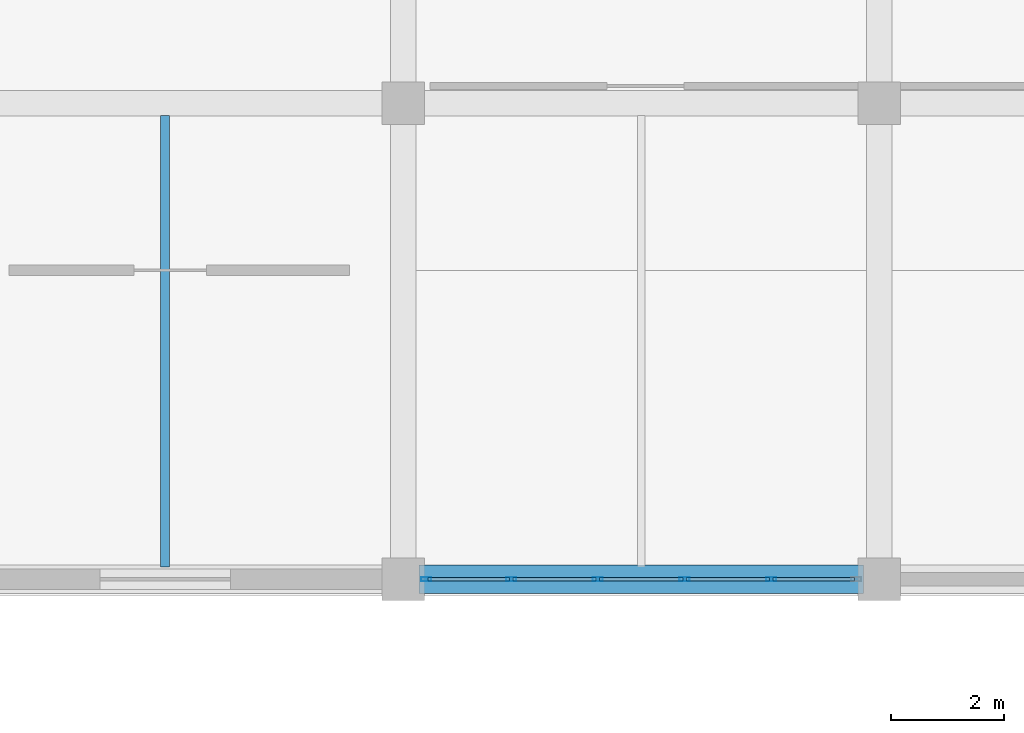
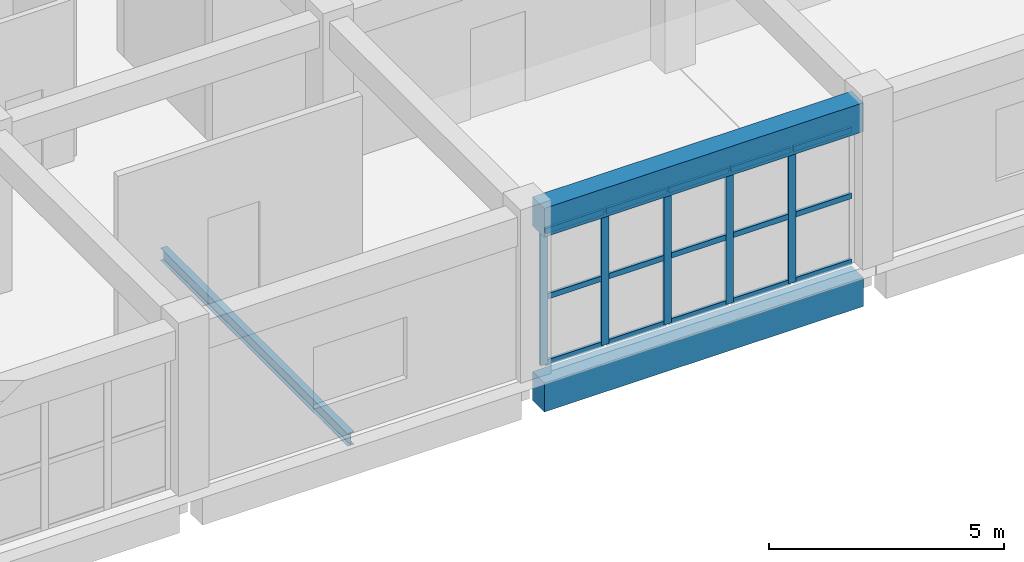
# One storey, part 73 of 114: 20 members, 3 beams, 1 element without a shape of its own.
"""IFC4 building model written with IfcOpenShell, lengths in metres."""

from ifc_helpers import new_model, si_unit, direction, frame, origin, origin_2d, place, context, subcontext, project, spatial, rectangle, hollow_rectangle, i_section, extrude, material, layer, layer_set, material_profile, profile_set, type_object, element, aggregate, save


model = new_model("IFC4")

# Units and contexts
model_context = context("Model", 3, precision=1e-05, world=origin(), true_north=direction((0.0, 1.0)))
body_context = subcontext(model_context, "Body", "Model", "MODEL_VIEW")
ifc_project = project(units=[si_unit("LENGTHUNIT", "METRE"), si_unit("AREAUNIT", "SQUARE_METRE"), si_unit("VOLUMEUNIT", "CUBIC_METRE"), si_unit("PLANEANGLEUNIT", "RADIAN"), si_unit("MASSUNIT", "GRAM", prefix="KILO")], contexts=[model_context])

# Site, building, storey
site_placement = place(None, origin())
site = spatial("IfcSite", under=ifc_project, at=site_placement, CompositionType="ELEMENT")
building_placement = place(site_placement, origin())
building = spatial("IfcBuilding", under=site, at=building_placement, Name="Xazarin Passage Department Store", CompositionType="ELEMENT")
storey_placement = place(building_placement, frame((0.0, 0.0, 14.39990234375)))
storey = spatial("IfcBuildingStorey", under=building, at=storey_placement, Name="L03", CompositionType="ELEMENT", Elevation=14.39990234375)

# Curtain wall, members
ifc_material_1 = material(Name="Bronze anodised aluminium", Category="aluminium")
ifc_layer = layer(ifc_material_1, 0.1650390625)
ifc_layer_set = layer_set([ifc_layer], Name="Bronze anodised aluminium")
curtain_wall_type = type_object("IfcCurtainWallType", Name="ARC-CW-OFF1", PredefinedType="NOTDEFINED", material=ifc_layer_set)
curtain_wall_placement = place(storey_placement, origin())
curtain_wall = element("IfcCurtainWall", 1, at=curtain_wall_placement, inside=storey, type_object=curtain_wall_type, Name="L03 V4 Curtain Wall 136", PredefinedType="NOTDEFINED")
ifc_material_profile_1 = material_profile(ifc_material_1, hollow_rectangle(XDim=0.06494140625, YDim=0.179931640625, WallThickness=0.00390625, at=origin_2d()), Name="ALU 65x180")
ifc_profile_set_1 = profile_set([ifc_material_profile_1], Name="Bronze anodised aluminium")
member_type_1 = type_object("IfcMemberType", Name="ARC-CWM-65x180", PredefinedType="MULLION", material=ifc_profile_set_1)
member_1_placement = place(storey_placement, frame((119.607421875, 84.800048828125, 0.0), z_axis=(0.0, 0.0, 1.0), x_axis=(0.0, 1.0, 0.0)))
member_1 = element("IfcMember", 2, at=member_1_placement, type_object=member_type_1, Name="CW6 mullion 1", PredefinedType="MULLION", context=body_context, shape_type="SweptSolid", body=[
    extrude(hollow_rectangle(XDim=0.06494140625, YDim=0.179931640625, WallThickness=0.00390625, at=origin_2d()), origin(), (0.0, 0.0, 1.0), 3.489990234375),
])
member_2_placement = place(storey_placement, frame((121.10498046875, 84.800048828125, 0.0), z_axis=(0.0, 0.0, 1.0), x_axis=(0.0, 1.0, 0.0)))
member_2 = element("IfcMember", 3, at=member_2_placement, type_object=member_type_1, Name="CW6 mullion 2", PredefinedType="MULLION", context=body_context, shape_type="SweptSolid", body=[
    extrude(hollow_rectangle(XDim=0.06494140625, YDim=0.179931640625, WallThickness=0.00390625, at=origin_2d()), origin(), (0.0, 0.0, 1.0), 3.489990234375),
])
member_3_placement = place(storey_placement, frame((122.635009765625, 84.800048828125, 0.0), z_axis=(0.0, 0.0, 1.0), x_axis=(0.0, 1.0, 0.0)))
member_3 = element("IfcMember", 4, at=member_3_placement, type_object=member_type_1, Name="CW6 mullion 3", PredefinedType="MULLION", context=body_context, shape_type="SweptSolid", body=[
    extrude(hollow_rectangle(XDim=0.06494140625, YDim=0.179931640625, WallThickness=0.00390625, at=origin_2d()), origin(), (0.0, 0.0, 1.0), 3.489990234375),
])
member_4_placement = place(storey_placement, frame((124.1650390625, 84.800048828125, 0.0), z_axis=(0.0, 0.0, 1.0), x_axis=(0.0, 1.0, 0.0)))
member_4 = element("IfcMember", 5, at=member_4_placement, type_object=member_type_1, Name="CW6 mullion 4", PredefinedType="MULLION", context=body_context, shape_type="SweptSolid", body=[
    extrude(hollow_rectangle(XDim=0.06494140625, YDim=0.179931640625, WallThickness=0.00390625, at=origin_2d()), origin(), (0.0, 0.0, 1.0), 3.489990234375),
])
member_5_placement = place(storey_placement, frame((125.695068359375, 84.800048828125, 0.0), z_axis=(0.0, 0.0, 1.0), x_axis=(0.0, 1.0, 0.0)))
member_5 = element("IfcMember", 6, at=member_5_placement, type_object=member_type_1, Name="CW6 mullion 5", PredefinedType="MULLION", context=body_context, shape_type="SweptSolid", body=[
    extrude(hollow_rectangle(XDim=0.06494140625, YDim=0.179931640625, WallThickness=0.00390625, at=origin_2d()), origin(), (0.0, 0.0, 1.0), 3.489990234375),
])
ifc_material_profile_2 = material_profile(ifc_material_1, hollow_rectangle(XDim=0.06494140625, YDim=0.139892578125, WallThickness=0.00390625, at=origin_2d()), Name="ALU 65x140")
ifc_profile_set_2 = profile_set([ifc_material_profile_2], Name="Bronze anodised aluminium")
member_type_2 = type_object("IfcMemberType", Name="ARC-CWT-65x140", PredefinedType="USERDEFINED", material=ifc_profile_set_2)
member_6_placement = place(storey_placement, frame((119.639892578125, 84.800048828125, 0.03271484375), z_axis=(1.0, 0.0, 0.0), x_axis=(0.0, 1.0, 0.0)))
member_6 = element("IfcMember", 7, at=member_6_placement, type_object=member_type_2, Name="CW6 transom 1.1", ObjectType="TRANSOM", PredefinedType="USERDEFINED", context=body_context, shape_type="SweptSolid", body=[
    extrude(hollow_rectangle(XDim=0.06494140625, YDim=0.139892578125, WallThickness=0.00390625, at=origin_2d()), origin(), (0.0, 0.0, 1.0), 1.4326171875),
])
member_7_placement = place(storey_placement, frame((119.639892578125, 84.800048828125, 1.7451171875), z_axis=(1.0, 0.0, 0.0), x_axis=(0.0, 1.0, 0.0)))
member_7 = element("IfcMember", 8, at=member_7_placement, type_object=member_type_2, Name="CW6 transom 1.2", ObjectType="TRANSOM", PredefinedType="USERDEFINED", context=body_context, shape_type="SweptSolid", body=[
    extrude(hollow_rectangle(XDim=0.06494140625, YDim=0.139892578125, WallThickness=0.00390625, at=origin_2d()), origin(), (0.0, 0.0, 1.0), 1.4326171875),
])
member_8_placement = place(storey_placement, frame((119.639892578125, 84.800048828125, 3.45751953125), z_axis=(1.0, 0.0, 0.0), x_axis=(0.0, 1.0, 0.0)))
member_8 = element("IfcMember", 9, at=member_8_placement, type_object=member_type_2, Name="CW6 transom 1.3", ObjectType="TRANSOM", PredefinedType="USERDEFINED", context=body_context, shape_type="SweptSolid", body=[
    extrude(hollow_rectangle(XDim=0.06494140625, YDim=0.139892578125, WallThickness=0.00390625, at=origin_2d()), origin(), (0.0, 0.0, 1.0), 1.4326171875),
])
member_9_placement = place(storey_placement, frame((121.137451171875, 84.800048828125, 0.03271484375), z_axis=(1.0, 0.0, 0.0), x_axis=(0.0, 1.0, 0.0)))
member_9 = element("IfcMember", 10, at=member_9_placement, type_object=member_type_2, Name="CW6 transom 2.1", ObjectType="TRANSOM", PredefinedType="USERDEFINED", context=body_context, shape_type="SweptSolid", body=[
    extrude(hollow_rectangle(XDim=0.06494140625, YDim=0.139892578125, WallThickness=0.00390625, at=origin_2d()), origin(), (0.0, 0.0, 1.0), 1.465087890625),
])
member_10_placement = place(storey_placement, frame((121.137451171875, 84.800048828125, 1.7451171875), z_axis=(1.0, 0.0, 0.0), x_axis=(0.0, 1.0, 0.0)))
member_10 = element("IfcMember", 11, at=member_10_placement, type_object=member_type_2, Name="CW6 transom 2.2", ObjectType="TRANSOM", PredefinedType="USERDEFINED", context=body_context, shape_type="SweptSolid", body=[
    extrude(hollow_rectangle(XDim=0.06494140625, YDim=0.139892578125, WallThickness=0.00390625, at=origin_2d()), origin(), (0.0, 0.0, 1.0), 1.465087890625),
])
member_11_placement = place(storey_placement, frame((121.137451171875, 84.800048828125, 3.45751953125), z_axis=(1.0, 0.0, 0.0), x_axis=(0.0, 1.0, 0.0)))
member_11 = element("IfcMember", 12, at=member_11_placement, type_object=member_type_2, Name="CW6 transom 2.3", ObjectType="TRANSOM", PredefinedType="USERDEFINED", context=body_context, shape_type="SweptSolid", body=[
    extrude(hollow_rectangle(XDim=0.06494140625, YDim=0.139892578125, WallThickness=0.00390625, at=origin_2d()), origin(), (0.0, 0.0, 1.0), 1.465087890625),
])
member_12_placement = place(storey_placement, frame((122.66748046875, 84.800048828125, 0.03271484375), z_axis=(1.0, 0.0, 0.0), x_axis=(0.0, 1.0, 0.0)))
member_12 = element("IfcMember", 13, at=member_12_placement, type_object=member_type_2, Name="CW6 transom 3.1", ObjectType="TRANSOM", PredefinedType="USERDEFINED", context=body_context, shape_type="SweptSolid", body=[
    extrude(hollow_rectangle(XDim=0.06494140625, YDim=0.139892578125, WallThickness=0.00390625, at=origin_2d()), origin(), (0.0, 0.0, 1.0), 1.465087890625),
])
member_13_placement = place(storey_placement, frame((122.66748046875, 84.800048828125, 1.7451171875), z_axis=(1.0, 0.0, 0.0), x_axis=(0.0, 1.0, 0.0)))
member_13 = element("IfcMember", 14, at=member_13_placement, type_object=member_type_2, Name="CW6 transom 3.2", ObjectType="TRANSOM", PredefinedType="USERDEFINED", context=body_context, shape_type="SweptSolid", body=[
    extrude(hollow_rectangle(XDim=0.06494140625, YDim=0.139892578125, WallThickness=0.00390625, at=origin_2d()), origin(), (0.0, 0.0, 1.0), 1.465087890625),
])
member_14_placement = place(storey_placement, frame((122.66748046875, 84.800048828125, 3.45751953125), z_axis=(1.0, 0.0, 0.0), x_axis=(0.0, 1.0, 0.0)))
member_14 = element("IfcMember", 15, at=member_14_placement, type_object=member_type_2, Name="CW6 transom 3.3", ObjectType="TRANSOM", PredefinedType="USERDEFINED", context=body_context, shape_type="SweptSolid", body=[
    extrude(hollow_rectangle(XDim=0.06494140625, YDim=0.139892578125, WallThickness=0.00390625, at=origin_2d()), origin(), (0.0, 0.0, 1.0), 1.465087890625),
])
member_15_placement = place(storey_placement, frame((124.197509765625, 84.800048828125, 0.03271484375), z_axis=(1.0, 0.0, 0.0), x_axis=(0.0, 1.0, 0.0)))
member_15 = element("IfcMember", 16, at=member_15_placement, type_object=member_type_2, Name="CW6 transom 4.1", ObjectType="TRANSOM", PredefinedType="USERDEFINED", context=body_context, shape_type="SweptSolid", body=[
    extrude(hollow_rectangle(XDim=0.06494140625, YDim=0.139892578125, WallThickness=0.00390625, at=origin_2d()), origin(), (0.0, 0.0, 1.0), 1.465087890625),
])
member_16_placement = place(storey_placement, frame((124.197509765625, 84.800048828125, 1.7451171875), z_axis=(1.0, 0.0, 0.0), x_axis=(0.0, 1.0, 0.0)))
member_16 = element("IfcMember", 17, at=member_16_placement, type_object=member_type_2, Name="CW6 transom 4.2", ObjectType="TRANSOM", PredefinedType="USERDEFINED", context=body_context, shape_type="SweptSolid", body=[
    extrude(hollow_rectangle(XDim=0.06494140625, YDim=0.139892578125, WallThickness=0.00390625, at=origin_2d()), origin(), (0.0, 0.0, 1.0), 1.465087890625),
])
member_17_placement = place(storey_placement, frame((124.197509765625, 84.800048828125, 3.45751953125), z_axis=(1.0, 0.0, 0.0), x_axis=(0.0, 1.0, 0.0)))
member_17 = element("IfcMember", 18, at=member_17_placement, type_object=member_type_2, Name="CW6 transom 4.3", ObjectType="TRANSOM", PredefinedType="USERDEFINED", context=body_context, shape_type="SweptSolid", body=[
    extrude(hollow_rectangle(XDim=0.06494140625, YDim=0.139892578125, WallThickness=0.00390625, at=origin_2d()), origin(), (0.0, 0.0, 1.0), 1.465087890625),
])
member_18_placement = place(storey_placement, frame((125.7275390625, 84.800048828125, 0.03271484375), z_axis=(1.0, 0.0, 0.0), x_axis=(0.0, 1.0, 0.0)))
member_18 = element("IfcMember", 19, at=member_18_placement, type_object=member_type_2, Name="CW6 transom 5.1", ObjectType="TRANSOM", PredefinedType="USERDEFINED", context=body_context, shape_type="SweptSolid", body=[
    extrude(hollow_rectangle(XDim=0.06494140625, YDim=0.139892578125, WallThickness=0.00390625, at=origin_2d()), origin(), (0.0, 0.0, 1.0), 1.432373046875),
])
member_19_placement = place(storey_placement, frame((125.7275390625, 84.800048828125, 1.7451171875), z_axis=(1.0, 0.0, 0.0), x_axis=(0.0, 1.0, 0.0)))
member_19 = element("IfcMember", 20, at=member_19_placement, type_object=member_type_2, Name="CW6 transom 5.2", ObjectType="TRANSOM", PredefinedType="USERDEFINED", context=body_context, shape_type="SweptSolid", body=[
    extrude(hollow_rectangle(XDim=0.06494140625, YDim=0.139892578125, WallThickness=0.00390625, at=origin_2d()), origin(), (0.0, 0.0, 1.0), 1.432373046875),
])
member_20_placement = place(storey_placement, frame((125.7275390625, 84.800048828125, 3.45751953125), z_axis=(1.0, 0.0, 0.0), x_axis=(0.0, 1.0, 0.0)))
member_20 = element("IfcMember", 21, at=member_20_placement, type_object=member_type_2, Name="CW6 transom 5.3", ObjectType="TRANSOM", PredefinedType="USERDEFINED", context=body_context, shape_type="SweptSolid", body=[
    extrude(hollow_rectangle(XDim=0.06494140625, YDim=0.139892578125, WallThickness=0.00390625, at=origin_2d()), origin(), (0.0, 0.0, 1.0), 1.432373046875),
])
aggregate(curtain_wall, [member_1, member_2, member_3, member_4, member_5, member_6, member_7, member_8, member_9, member_10, member_11, member_12, member_13, member_14, member_15, member_16, member_17, member_18, member_19, member_20])

# Beams
ifc_material_2 = material(Name="Steel S355", Category="steel")
ifc_material_profile_3 = material_profile(ifc_material_2, i_section(OverallWidth=0.159912109375, OverallDepth=0.330078125, WebThickness=0.007568359375, FlangeThickness=0.011474609375, FilletRadius=0.01806640625, at=origin_2d()), Name="IPE 330")
ifc_profile_set_3 = profile_set([ifc_material_profile_3], Name="Steel S355")
beam_type_1 = type_object("IfcBeamType", Name="STR-BM-SEC330", PredefinedType="JOIST", material=ifc_profile_set_3)
beam_placement = place(storey_placement, frame((115.0, 85.02001953125, -0.46484375), z_axis=(0.0, 1.0, 0.0), x_axis=(-1.0, 0.0, 0.0)))
element("IfcBeam", 22, at=beam_placement, inside=storey, type_object=beam_type_1, Name="L03 Stockroom Secondary Joist 07", PredefinedType="JOIST", context=body_context, shape_type="SweptSolid", body=[
    extrude(i_section(OverallWidth=0.159912109375, OverallDepth=0.330078125, WebThickness=0.007568359375, FlangeThickness=0.011474609375, FilletRadius=0.01806640625, at=origin_2d()), origin(), (0.0, 0.0, 1.0), 7.9599609375),
])
ifc_material_3 = material(Name="Concrete C35/45", Category="concrete")
ifc_material_profile_4 = material_profile(ifc_material_3, rectangle(XDim=0.5, YDim=0.75, at=origin_2d()), Name="RC 500x750")
ifc_profile_set_4 = profile_set([ifc_material_profile_4], Name="Concrete C35/45")
beam_type_2 = type_object("IfcBeamType", Name="STR-BM-SP500x750", PredefinedType="SPANDREL", material=ifc_profile_set_4)
for number, where, z_axis, x_axis, name in (
    (23, (119.47998046875, 84.800048828125, -0.6748046875), (1.0, 0.0, 0.0), (0.0, 1.0, 0.0), "L03 Grid Beam M/17-18"),
    (24, (119.47998046875, 84.800048828125, 3.864990234375), (1.0, 0.0, 0.0), (0.0, 1.0, 0.0), "L03 Grid Beam M/17-18"),
):
    element("IfcBeam", number, at=place(storey_placement, frame(where, z_axis=z_axis, x_axis=x_axis)), inside=storey, type_object=beam_type_2, Name=name, PredefinedType="SPANDREL", context=body_context, shape_type="SweptSolid", body=[
        extrude(rectangle(XDim=0.5, YDim=0.75, at=origin_2d()), origin(), (0.0, 0.0, 1.0), 7.840087890625),
    ])

save(model, "model.ifc")
